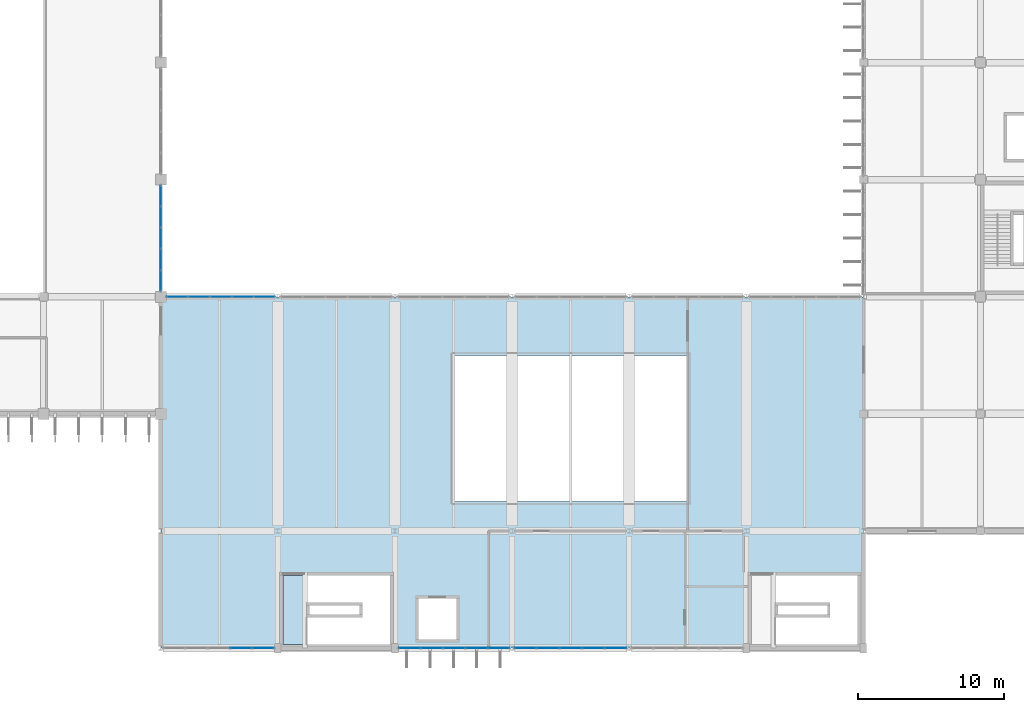
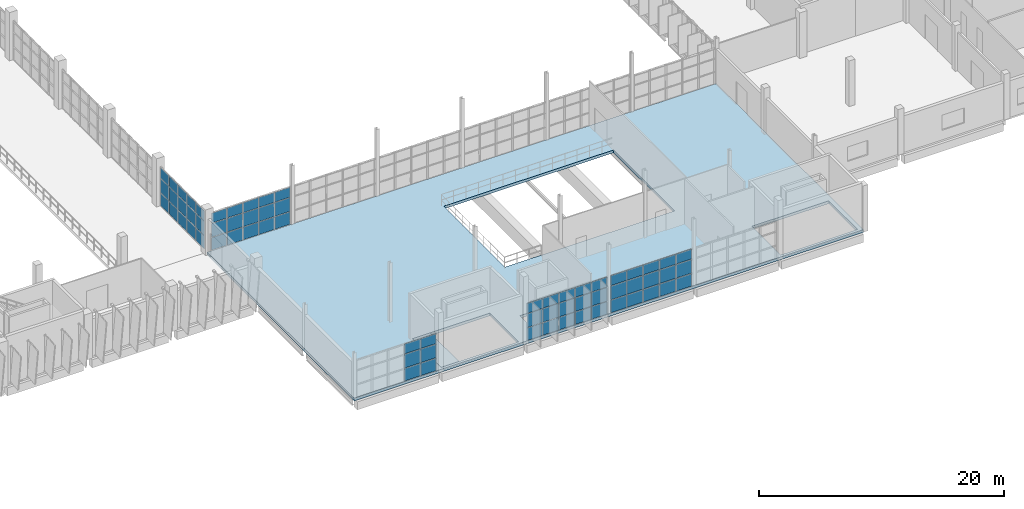
# One storey, part 52 of 93: 66 plates, 2 slabs, 5 elements without a shape of their own.
"""IFC4 building model written with IfcOpenShell, lengths in metres."""

from ifc_helpers import new_model, si_unit, direction, frame, origin, origin_2d, place, context, subcontext, project, spatial, polyline, rectangle, outline, extrude, material, layer, layer_set, type_object, element, aggregate, save


model = new_model("IFC4")

# Units and contexts
model_context = context("Model", 3, precision=1e-05, world=origin(), true_north=direction((0.0, 1.0)))
body_context = subcontext(model_context, "Body", "Model", "MODEL_VIEW")
ifc_project = project(units=[si_unit("LENGTHUNIT", "METRE"), si_unit("AREAUNIT", "SQUARE_METRE"), si_unit("VOLUMEUNIT", "CUBIC_METRE"), si_unit("PLANEANGLEUNIT", "RADIAN"), si_unit("MASSUNIT", "GRAM", prefix="KILO")], contexts=[model_context])

# Site, building, storey
site_placement = place(None, origin())
site = spatial("IfcSite", under=ifc_project, at=site_placement, CompositionType="ELEMENT")
building_placement = place(site_placement, origin())
building = spatial("IfcBuilding", under=site, at=building_placement, Name="Drelvana Railside Aquatics Centre", CompositionType="ELEMENT")
storey_placement = place(building_placement, frame((0.0, 0.0, 5.39990234375)))
storey = spatial("IfcBuildingStorey", under=building, at=storey_placement, Name="L01", CompositionType="ELEMENT", Elevation=5.39990234375)

# Curtain wall, plates
ifc_material_1 = material(Name="Bronze-anodised aluminium curtain wall", Category="aluminium")
ifc_layer_1 = layer(ifc_material_1, 0.18994140625, Name="Bronze-anodised aluminium curtain wall")
ifc_layer_set_1 = layer_set([ifc_layer_1], Name="Bronze-anodised aluminium curtain wall")
curtain_wall_type_1 = type_object("IfcCurtainWallType", Name="CW-Z4-FOYER", PredefinedType="NOTDEFINED", material=ifc_layer_set_1)
curtain_wall_1_placement = place(storey_placement, origin())
curtain_wall_1 = element("IfcCurtainWall", 1, at=curtain_wall_1_placement, inside=storey, type_object=curtain_wall_type_1, Name="Curtain wall CW-04-099", PredefinedType="NOTDEFINED")
ifc_material_2 = material(Name="Double-glazed low-e solar-control glass", Category="glass")
ifc_layer_2 = layer(ifc_material_2, 0.030029296875, Name="Double-glazed low-e solar-control glass")
ifc_layer_set_2 = layer_set([ifc_layer_2], Name="Double-glazed low-e solar-control glass")
plate_type_1 = type_object("IfcPlateType", Name="CW-Z4-FOYER-PAN", PredefinedType="CURTAIN_PANEL", material=ifc_layer_set_2)
plate_1_placement = place(storey_placement, frame((101.48681640625, 0.0, 0.05419921875), z_axis=(0.0, 0.0, 1.0), x_axis=(1.0, 0.0, 0.0)))
plate_1 = element("IfcPlate", 2, at=plate_1_placement, type_object=plate_type_1, Name="CW-04 panel 4.1", PredefinedType="CURTAIN_PANEL", context=body_context, shape_type="SweptSolid", body=[
    extrude(rectangle(XDim=1.474365234375, YDim=0.030029296875, at=origin_2d()), origin(), (0.0, 0.0, 1.0), 1.244384765625),
])
plate_2_placement = place(storey_placement, frame((101.48681640625, 0.0, 1.353515625), z_axis=(0.0, 0.0, 1.0), x_axis=(1.0, 0.0, 0.0)))
plate_2 = element("IfcPlate", 3, at=plate_2_placement, type_object=plate_type_1, Name="CW-04 panel 4.2", PredefinedType="CURTAIN_PANEL", context=body_context, shape_type="SweptSolid", body=[
    extrude(rectangle(XDim=1.474365234375, YDim=0.030029296875, at=origin_2d()), origin(), (0.0, 0.0, 1.0), 1.35302734375),
])
plate_3_placement = place(storey_placement, frame((101.48681640625, 0.0, 2.761474609375), z_axis=(0.0, 0.0, 1.0), x_axis=(1.0, 0.0, 0.0)))
plate_3 = element("IfcPlate", 4, at=plate_3_placement, type_object=plate_type_1, Name="CW-04 panel 4.3", PredefinedType="CURTAIN_PANEL", context=body_context, shape_type="SweptSolid", body=[
    extrude(rectangle(XDim=1.474365234375, YDim=0.030029296875, at=origin_2d()), origin(), (0.0, 0.0, 1.0), 0.978515625),
])
plate_4_placement = place(storey_placement, frame((103.0, 0.0, 0.05419921875), z_axis=(0.0, 0.0, 1.0), x_axis=(1.0, 0.0, 0.0)))
plate_4 = element("IfcPlate", 5, at=plate_4_placement, type_object=plate_type_1, Name="CW-04 panel 5.1", PredefinedType="CURTAIN_PANEL", context=body_context, shape_type="SweptSolid", body=[
    extrude(rectangle(XDim=1.44189453125, YDim=0.030029296875, at=origin_2d()), origin(), (0.0, 0.0, 1.0), 1.244384765625),
])
plate_5_placement = place(storey_placement, frame((103.0, 0.0, 1.353515625), z_axis=(0.0, 0.0, 1.0), x_axis=(1.0, 0.0, 0.0)))
plate_5 = element("IfcPlate", 6, at=plate_5_placement, type_object=plate_type_1, Name="CW-04 panel 5.2", PredefinedType="CURTAIN_PANEL", context=body_context, shape_type="SweptSolid", body=[
    extrude(rectangle(XDim=1.44189453125, YDim=0.030029296875, at=origin_2d()), origin(), (0.0, 0.0, 1.0), 1.35302734375),
])
plate_6_placement = place(storey_placement, frame((103.0, 0.0, 2.761474609375), z_axis=(0.0, 0.0, 1.0), x_axis=(1.0, 0.0, 0.0)))
plate_6 = element("IfcPlate", 7, at=plate_6_placement, type_object=plate_type_1, Name="CW-04 panel 5.3", PredefinedType="CURTAIN_PANEL", context=body_context, shape_type="SweptSolid", body=[
    extrude(rectangle(XDim=1.44189453125, YDim=0.030029296875, at=origin_2d()), origin(), (0.0, 0.0, 1.0), 0.978515625),
])
aggregate(curtain_wall_1, [plate_1, plate_2, plate_3, plate_4, plate_5, plate_6])

curtain_wall_2_placement = place(storey_placement, origin())
curtain_wall_2 = element("IfcCurtainWall", 8, at=curtain_wall_2_placement, inside=storey, type_object=curtain_wall_type_1, Name="Curtain wall CW-04-105", PredefinedType="NOTDEFINED")
plate_7_placement = place(storey_placement, frame((113.0, 0.0, 0.05419921875), z_axis=(0.0, 0.0, 1.0), x_axis=(1.0, 0.0, 0.0)))
plate_7 = element("IfcPlate", 9, at=plate_7_placement, type_object=plate_type_1, Name="CW-04 panel 1.1", PredefinedType="CURTAIN_PANEL", context=body_context, shape_type="SweptSolid", body=[
    extrude(rectangle(XDim=1.44189453125, YDim=0.030029296875, at=origin_2d()), origin(), (0.0, 0.0, 1.0), 1.244384765625),
])
plate_8_placement = place(storey_placement, frame((113.0, 0.0, 1.353515625), z_axis=(0.0, 0.0, 1.0), x_axis=(1.0, 0.0, 0.0)))
plate_8 = element("IfcPlate", 10, at=plate_8_placement, type_object=plate_type_1, Name="CW-04 panel 1.2", PredefinedType="CURTAIN_PANEL", context=body_context, shape_type="SweptSolid", body=[
    extrude(rectangle(XDim=1.44189453125, YDim=0.030029296875, at=origin_2d()), origin(), (0.0, 0.0, 1.0), 1.35302734375),
])
plate_9_placement = place(storey_placement, frame((113.0, 0.0, 2.761474609375), z_axis=(0.0, 0.0, 1.0), x_axis=(1.0, 0.0, 0.0)))
plate_9 = element("IfcPlate", 11, at=plate_9_placement, type_object=plate_type_1, Name="CW-04 panel 1.3", PredefinedType="CURTAIN_PANEL", context=body_context, shape_type="SweptSolid", body=[
    extrude(rectangle(XDim=1.44189453125, YDim=0.030029296875, at=origin_2d()), origin(), (0.0, 0.0, 1.0), 0.978515625),
])
plate_10_placement = place(storey_placement, frame((114.51318359375, 0.0, 0.05419921875), z_axis=(0.0, 0.0, 1.0), x_axis=(1.0, 0.0, 0.0)))
plate_10 = element("IfcPlate", 12, at=plate_10_placement, type_object=plate_type_1, Name="CW-04 panel 2.1", PredefinedType="CURTAIN_PANEL", context=body_context, shape_type="SweptSolid", body=[
    extrude(rectangle(XDim=1.474365234375, YDim=0.030029296875, at=origin_2d()), origin(), (0.0, 0.0, 1.0), 1.244384765625),
])
plate_11_placement = place(storey_placement, frame((114.51318359375, 0.0, 1.353515625), z_axis=(0.0, 0.0, 1.0), x_axis=(1.0, 0.0, 0.0)))
plate_11 = element("IfcPlate", 13, at=plate_11_placement, type_object=plate_type_1, Name="CW-04 panel 2.2", PredefinedType="CURTAIN_PANEL", context=body_context, shape_type="SweptSolid", body=[
    extrude(rectangle(XDim=1.474365234375, YDim=0.030029296875, at=origin_2d()), origin(), (0.0, 0.0, 1.0), 1.35302734375),
])
plate_12_placement = place(storey_placement, frame((114.51318359375, 0.0, 2.761474609375), z_axis=(0.0, 0.0, 1.0), x_axis=(1.0, 0.0, 0.0)))
plate_12 = element("IfcPlate", 14, at=plate_12_placement, type_object=plate_type_1, Name="CW-04 panel 2.3", PredefinedType="CURTAIN_PANEL", context=body_context, shape_type="SweptSolid", body=[
    extrude(rectangle(XDim=1.474365234375, YDim=0.030029296875, at=origin_2d()), origin(), (0.0, 0.0, 1.0), 0.978515625),
])
plate_13_placement = place(storey_placement, frame((116.04248046875, 0.0, 0.05419921875), z_axis=(0.0, 0.0, 1.0), x_axis=(1.0, 0.0, 0.0)))
plate_13 = element("IfcPlate", 15, at=plate_13_placement, type_object=plate_type_1, Name="CW-04 panel 3.1", PredefinedType="CURTAIN_PANEL", context=body_context, shape_type="SweptSolid", body=[
    extrude(rectangle(XDim=1.474365234375, YDim=0.030029296875, at=origin_2d()), origin(), (0.0, 0.0, 1.0), 1.244384765625),
])
plate_14_placement = place(storey_placement, frame((116.04248046875, 0.0, 1.353515625), z_axis=(0.0, 0.0, 1.0), x_axis=(1.0, 0.0, 0.0)))
plate_14 = element("IfcPlate", 16, at=plate_14_placement, type_object=plate_type_1, Name="CW-04 panel 3.2", PredefinedType="CURTAIN_PANEL", context=body_context, shape_type="SweptSolid", body=[
    extrude(rectangle(XDim=1.474365234375, YDim=0.030029296875, at=origin_2d()), origin(), (0.0, 0.0, 1.0), 1.35302734375),
])
plate_15_placement = place(storey_placement, frame((116.04248046875, 0.0, 2.761474609375), z_axis=(0.0, 0.0, 1.0), x_axis=(1.0, 0.0, 0.0)))
plate_15 = element("IfcPlate", 17, at=plate_15_placement, type_object=plate_type_1, Name="CW-04 panel 3.3", PredefinedType="CURTAIN_PANEL", context=body_context, shape_type="SweptSolid", body=[
    extrude(rectangle(XDim=1.474365234375, YDim=0.030029296875, at=origin_2d()), origin(), (0.0, 0.0, 1.0), 0.978515625),
])
plate_16_placement = place(storey_placement, frame((117.572021484375, 0.0, 0.05419921875), z_axis=(0.0, 0.0, 1.0), x_axis=(1.0, 0.0, 0.0)))
plate_16 = element("IfcPlate", 18, at=plate_16_placement, type_object=plate_type_1, Name="CW-04 panel 4.1", PredefinedType="CURTAIN_PANEL", context=body_context, shape_type="SweptSolid", body=[
    extrude(rectangle(XDim=1.474365234375, YDim=0.030029296875, at=origin_2d()), origin(), (0.0, 0.0, 1.0), 1.244384765625),
])
plate_17_placement = place(storey_placement, frame((117.572021484375, 0.0, 1.353515625), z_axis=(0.0, 0.0, 1.0), x_axis=(1.0, 0.0, 0.0)))
plate_17 = element("IfcPlate", 19, at=plate_17_placement, type_object=plate_type_1, Name="CW-04 panel 4.2", PredefinedType="CURTAIN_PANEL", context=body_context, shape_type="SweptSolid", body=[
    extrude(rectangle(XDim=1.474365234375, YDim=0.030029296875, at=origin_2d()), origin(), (0.0, 0.0, 1.0), 1.35302734375),
])
plate_18_placement = place(storey_placement, frame((117.572021484375, 0.0, 2.761474609375), z_axis=(0.0, 0.0, 1.0), x_axis=(1.0, 0.0, 0.0)))
plate_18 = element("IfcPlate", 20, at=plate_18_placement, type_object=plate_type_1, Name="CW-04 panel 4.3", PredefinedType="CURTAIN_PANEL", context=body_context, shape_type="SweptSolid", body=[
    extrude(rectangle(XDim=1.474365234375, YDim=0.030029296875, at=origin_2d()), origin(), (0.0, 0.0, 1.0), 0.978515625),
])
plate_19_placement = place(storey_placement, frame((119.0849609375, 0.0, 0.05419921875), z_axis=(0.0, 0.0, 1.0), x_axis=(1.0, 0.0, 0.0)))
plate_19 = element("IfcPlate", 21, at=plate_19_placement, type_object=plate_type_1, Name="CW-04 panel 5.1", PredefinedType="CURTAIN_PANEL", context=body_context, shape_type="SweptSolid", body=[
    extrude(rectangle(XDim=1.44189453125, YDim=0.030029296875, at=origin_2d()), origin(), (0.0, 0.0, 1.0), 1.244384765625),
])
plate_20_placement = place(storey_placement, frame((119.0849609375, 0.0, 1.353515625), z_axis=(0.0, 0.0, 1.0), x_axis=(1.0, 0.0, 0.0)))
plate_20 = element("IfcPlate", 22, at=plate_20_placement, type_object=plate_type_1, Name="CW-04 panel 5.2", PredefinedType="CURTAIN_PANEL", context=body_context, shape_type="SweptSolid", body=[
    extrude(rectangle(XDim=1.44189453125, YDim=0.030029296875, at=origin_2d()), origin(), (0.0, 0.0, 1.0), 1.35302734375),
])
plate_21_placement = place(storey_placement, frame((119.0849609375, 0.0, 2.761474609375), z_axis=(0.0, 0.0, 1.0), x_axis=(1.0, 0.0, 0.0)))
plate_21 = element("IfcPlate", 23, at=plate_21_placement, type_object=plate_type_1, Name="CW-04 panel 5.3", PredefinedType="CURTAIN_PANEL", context=body_context, shape_type="SweptSolid", body=[
    extrude(rectangle(XDim=1.44189453125, YDim=0.030029296875, at=origin_2d()), origin(), (0.0, 0.0, 1.0), 0.978515625),
])
aggregate(curtain_wall_2, [plate_7, plate_8, plate_9, plate_10, plate_11, plate_12, plate_13, plate_14, plate_15, plate_16, plate_17, plate_18, plate_19, plate_20, plate_21])

curtain_wall_3_placement = place(storey_placement, origin())
curtain_wall_3 = element("IfcCurtainWall", 24, at=curtain_wall_3_placement, inside=storey, type_object=curtain_wall_type_1, Name="Curtain wall CW-04-108", PredefinedType="NOTDEFINED")
plate_22_placement = place(storey_placement, frame((120.92333984375, 0.0, 0.05419921875), z_axis=(0.0, 0.0, 1.0), x_axis=(1.0, 0.0, 0.0)))
plate_22 = element("IfcPlate", 25, at=plate_22_placement, type_object=plate_type_1, Name="CW-04 panel 1.1", PredefinedType="CURTAIN_PANEL", context=body_context, shape_type="SweptSolid", body=[
    extrude(rectangle(XDim=1.458984375, YDim=0.030029296875, at=origin_2d()), origin(), (0.0, 0.0, 1.0), 1.244384765625),
])
plate_23_placement = place(storey_placement, frame((120.92333984375, 0.0, 1.353515625), z_axis=(0.0, 0.0, 1.0), x_axis=(1.0, 0.0, 0.0)))
plate_23 = element("IfcPlate", 26, at=plate_23_placement, type_object=plate_type_1, Name="CW-04 panel 1.2", PredefinedType="CURTAIN_PANEL", context=body_context, shape_type="SweptSolid", body=[
    extrude(rectangle(XDim=1.458984375, YDim=0.030029296875, at=origin_2d()), origin(), (0.0, 0.0, 1.0), 1.35302734375),
])
plate_24_placement = place(storey_placement, frame((120.92333984375, 0.0, 2.761474609375), z_axis=(0.0, 0.0, 1.0), x_axis=(1.0, 0.0, 0.0)))
plate_24 = element("IfcPlate", 27, at=plate_24_placement, type_object=plate_type_1, Name="CW-04 panel 1.3", PredefinedType="CURTAIN_PANEL", context=body_context, shape_type="SweptSolid", body=[
    extrude(rectangle(XDim=1.458984375, YDim=0.030029296875, at=origin_2d()), origin(), (0.0, 0.0, 1.0), 0.978515625),
])
plate_25_placement = place(storey_placement, frame((122.45361328125, 0.0, 0.05419921875), z_axis=(0.0, 0.0, 1.0), x_axis=(1.0, 0.0, 0.0)))
plate_25 = element("IfcPlate", 28, at=plate_25_placement, type_object=plate_type_1, Name="CW-04 panel 2.1", PredefinedType="CURTAIN_PANEL", context=body_context, shape_type="SweptSolid", body=[
    extrude(rectangle(XDim=1.491455078125, YDim=0.030029296875, at=origin_2d()), origin(), (0.0, 0.0, 1.0), 1.244384765625),
])
plate_26_placement = place(storey_placement, frame((122.45361328125, 0.0, 1.353515625), z_axis=(0.0, 0.0, 1.0), x_axis=(1.0, 0.0, 0.0)))
plate_26 = element("IfcPlate", 29, at=plate_26_placement, type_object=plate_type_1, Name="CW-04 panel 2.2", PredefinedType="CURTAIN_PANEL", context=body_context, shape_type="SweptSolid", body=[
    extrude(rectangle(XDim=1.491455078125, YDim=0.030029296875, at=origin_2d()), origin(), (0.0, 0.0, 1.0), 1.35302734375),
])
plate_27_placement = place(storey_placement, frame((122.45361328125, 0.0, 2.761474609375), z_axis=(0.0, 0.0, 1.0), x_axis=(1.0, 0.0, 0.0)))
plate_27 = element("IfcPlate", 30, at=plate_27_placement, type_object=plate_type_1, Name="CW-04 panel 2.3", PredefinedType="CURTAIN_PANEL", context=body_context, shape_type="SweptSolid", body=[
    extrude(rectangle(XDim=1.491455078125, YDim=0.030029296875, at=origin_2d()), origin(), (0.0, 0.0, 1.0), 0.978515625),
])
plate_28_placement = place(storey_placement, frame((124.0, 0.0, 0.05419921875), z_axis=(0.0, 0.0, 1.0), x_axis=(1.0, 0.0, 0.0)))
plate_28 = element("IfcPlate", 31, at=plate_28_placement, type_object=plate_type_1, Name="CW-04 panel 3.1", PredefinedType="CURTAIN_PANEL", context=body_context, shape_type="SweptSolid", body=[
    extrude(rectangle(XDim=1.491455078125, YDim=0.030029296875, at=origin_2d()), origin(), (0.0, 0.0, 1.0), 1.244384765625),
])
plate_29_placement = place(storey_placement, frame((124.0, 0.0, 1.353515625), z_axis=(0.0, 0.0, 1.0), x_axis=(1.0, 0.0, 0.0)))
plate_29 = element("IfcPlate", 32, at=plate_29_placement, type_object=plate_type_1, Name="CW-04 panel 3.2", PredefinedType="CURTAIN_PANEL", context=body_context, shape_type="SweptSolid", body=[
    extrude(rectangle(XDim=1.491455078125, YDim=0.030029296875, at=origin_2d()), origin(), (0.0, 0.0, 1.0), 1.35302734375),
])
plate_30_placement = place(storey_placement, frame((124.0, 0.0, 2.761474609375), z_axis=(0.0, 0.0, 1.0), x_axis=(1.0, 0.0, 0.0)))
plate_30 = element("IfcPlate", 33, at=plate_30_placement, type_object=plate_type_1, Name="CW-04 panel 3.3", PredefinedType="CURTAIN_PANEL", context=body_context, shape_type="SweptSolid", body=[
    extrude(rectangle(XDim=1.491455078125, YDim=0.030029296875, at=origin_2d()), origin(), (0.0, 0.0, 1.0), 0.978515625),
])
plate_31_placement = place(storey_placement, frame((125.54638671875, 0.0, 0.05419921875), z_axis=(0.0, 0.0, 1.0), x_axis=(1.0, 0.0, 0.0)))
plate_31 = element("IfcPlate", 34, at=plate_31_placement, type_object=plate_type_1, Name="CW-04 panel 4.1", PredefinedType="CURTAIN_PANEL", context=body_context, shape_type="SweptSolid", body=[
    extrude(rectangle(XDim=1.491455078125, YDim=0.030029296875, at=origin_2d()), origin(), (0.0, 0.0, 1.0), 1.244384765625),
])
plate_32_placement = place(storey_placement, frame((125.54638671875, 0.0, 1.353515625), z_axis=(0.0, 0.0, 1.0), x_axis=(1.0, 0.0, 0.0)))
plate_32 = element("IfcPlate", 35, at=plate_32_placement, type_object=plate_type_1, Name="CW-04 panel 4.2", PredefinedType="CURTAIN_PANEL", context=body_context, shape_type="SweptSolid", body=[
    extrude(rectangle(XDim=1.491455078125, YDim=0.030029296875, at=origin_2d()), origin(), (0.0, 0.0, 1.0), 1.35302734375),
])
plate_33_placement = place(storey_placement, frame((125.54638671875, 0.0, 2.761474609375), z_axis=(0.0, 0.0, 1.0), x_axis=(1.0, 0.0, 0.0)))
plate_33 = element("IfcPlate", 36, at=plate_33_placement, type_object=plate_type_1, Name="CW-04 panel 4.3", PredefinedType="CURTAIN_PANEL", context=body_context, shape_type="SweptSolid", body=[
    extrude(rectangle(XDim=1.491455078125, YDim=0.030029296875, at=origin_2d()), origin(), (0.0, 0.0, 1.0), 0.978515625),
])
plate_34_placement = place(storey_placement, frame((127.07666015625, 0.0, 0.05419921875), z_axis=(0.0, 0.0, 1.0), x_axis=(1.0, 0.0, 0.0)))
plate_34 = element("IfcPlate", 37, at=plate_34_placement, type_object=plate_type_1, Name="CW-04 panel 5.1", PredefinedType="CURTAIN_PANEL", context=body_context, shape_type="SweptSolid", body=[
    extrude(rectangle(XDim=1.458984375, YDim=0.030029296875, at=origin_2d()), origin(), (0.0, 0.0, 1.0), 1.244384765625),
])
plate_35_placement = place(storey_placement, frame((127.07666015625, 0.0, 1.353515625), z_axis=(0.0, 0.0, 1.0), x_axis=(1.0, 0.0, 0.0)))
plate_35 = element("IfcPlate", 38, at=plate_35_placement, type_object=plate_type_1, Name="CW-04 panel 5.2", PredefinedType="CURTAIN_PANEL", context=body_context, shape_type="SweptSolid", body=[
    extrude(rectangle(XDim=1.458984375, YDim=0.030029296875, at=origin_2d()), origin(), (0.0, 0.0, 1.0), 1.35302734375),
])
plate_36_placement = place(storey_placement, frame((127.07666015625, 0.0, 2.761474609375), z_axis=(0.0, 0.0, 1.0), x_axis=(1.0, 0.0, 0.0)))
plate_36 = element("IfcPlate", 39, at=plate_36_placement, type_object=plate_type_1, Name="CW-04 panel 5.3", PredefinedType="CURTAIN_PANEL", context=body_context, shape_type="SweptSolid", body=[
    extrude(rectangle(XDim=1.458984375, YDim=0.030029296875, at=origin_2d()), origin(), (0.0, 0.0, 1.0), 0.978515625),
])
aggregate(curtain_wall_3, [plate_22, plate_23, plate_24, plate_25, plate_26, plate_27, plate_28, plate_29, plate_30, plate_31, plate_32, plate_33, plate_34, plate_35, plate_36])

ifc_layer_3 = layer(ifc_material_1, 0.1650390625, Name="Bronze-anodised aluminium curtain wall")
ifc_layer_set_3 = layer_set([ifc_layer_3], Name="Bronze-anodised aluminium curtain wall")
curtain_wall_type_2 = type_object("IfcCurtainWallType", Name="CW-Z5-COURT", PredefinedType="NOTDEFINED", material=ifc_layer_set_3)
curtain_wall_4_placement = place(storey_placement, origin())
curtain_wall_4 = element("IfcCurtainWall", 40, at=curtain_wall_4_placement, inside=storey, type_object=curtain_wall_type_2, Name="Curtain wall CW-05-056", PredefinedType="NOTDEFINED")
ifc_layer_4 = layer(ifc_material_2, 0.02587890625, Name="Double-glazed low-e solar-control glass")
ifc_layer_set_4 = layer_set([ifc_layer_4], Name="Double-glazed low-e solar-control glass")
plate_type_2 = type_object("IfcPlateType", Name="CW-Z5-COURT-PAN", PredefinedType="CURTAIN_PANEL", material=ifc_layer_set_4)
plate_37_placement = place(storey_placement, frame((96.0, 25.110107421875, 0.049072265625), z_axis=(0.0, 0.0, 1.0), x_axis=(0.0, 1.0, 0.0)))
plate_37 = element("IfcPlate", 41, at=plate_37_placement, type_object=plate_type_2, Name="CW-05 panel 1.1", PredefinedType="CURTAIN_PANEL", context=body_context, shape_type="SweptSolid", body=[
    extrude(rectangle(XDim=1.372314453125, YDim=0.02587890625, at=origin_2d()), origin(), (0.0, 0.0, 1.0), 1.287109375),
])
plate_38_placement = place(storey_placement, frame((96.0, 25.110107421875, 1.385986328125), z_axis=(0.0, 0.0, 1.0), x_axis=(0.0, 1.0, 0.0)))
plate_38 = element("IfcPlate", 42, at=plate_38_placement, type_object=plate_type_2, Name="CW-05 panel 1.2", PredefinedType="CURTAIN_PANEL", context=body_context, shape_type="SweptSolid", body=[
    extrude(rectangle(XDim=1.372314453125, YDim=0.02587890625, at=origin_2d()), origin(), (0.0, 0.0, 1.0), 1.39501953125),
])
plate_39_placement = place(storey_placement, frame((96.0, 25.110107421875, 2.8310546875), z_axis=(0.0, 0.0, 1.0), x_axis=(0.0, 1.0, 0.0)))
plate_39 = element("IfcPlate", 43, at=plate_39_placement, type_object=plate_type_2, Name="CW-05 panel 1.3", PredefinedType="CURTAIN_PANEL", context=body_context, shape_type="SweptSolid", body=[
    extrude(rectangle(XDim=1.372314453125, YDim=0.02587890625, at=origin_2d()), origin(), (0.0, 0.0, 1.0), 1.013916015625),
])
plate_40_placement = place(storey_placement, frame((96.0, 26.547607421875, 0.049072265625), z_axis=(0.0, 0.0, 1.0), x_axis=(0.0, 1.0, 0.0)))
plate_40 = element("IfcPlate", 44, at=plate_40_placement, type_object=plate_type_2, Name="CW-05 panel 2.1", PredefinedType="CURTAIN_PANEL", context=body_context, shape_type="SweptSolid", body=[
    extrude(rectangle(XDim=1.40234375, YDim=0.02587890625, at=origin_2d()), origin(), (0.0, 0.0, 1.0), 1.287109375),
])
plate_41_placement = place(storey_placement, frame((96.0, 26.547607421875, 1.385986328125), z_axis=(0.0, 0.0, 1.0), x_axis=(0.0, 1.0, 0.0)))
plate_41 = element("IfcPlate", 45, at=plate_41_placement, type_object=plate_type_2, Name="CW-05 panel 2.2", PredefinedType="CURTAIN_PANEL", context=body_context, shape_type="SweptSolid", body=[
    extrude(rectangle(XDim=1.40234375, YDim=0.02587890625, at=origin_2d()), origin(), (0.0, 0.0, 1.0), 1.39501953125),
])
plate_42_placement = place(storey_placement, frame((96.0, 26.547607421875, 2.8310546875), z_axis=(0.0, 0.0, 1.0), x_axis=(0.0, 1.0, 0.0)))
plate_42 = element("IfcPlate", 46, at=plate_42_placement, type_object=plate_type_2, Name="CW-05 panel 2.3", PredefinedType="CURTAIN_PANEL", context=body_context, shape_type="SweptSolid", body=[
    extrude(rectangle(XDim=1.40234375, YDim=0.02587890625, at=origin_2d()), origin(), (0.0, 0.0, 1.0), 1.013916015625),
])
plate_43_placement = place(storey_placement, frame((96.0, 28.0, 0.049072265625), z_axis=(0.0, 0.0, 1.0), x_axis=(0.0, 1.0, 0.0)))
plate_43 = element("IfcPlate", 47, at=plate_43_placement, type_object=plate_type_2, Name="CW-05 panel 3.1", PredefinedType="CURTAIN_PANEL", context=body_context, shape_type="SweptSolid", body=[
    extrude(rectangle(XDim=1.40234375, YDim=0.02587890625, at=origin_2d()), origin(), (0.0, 0.0, 1.0), 1.287109375),
])
plate_44_placement = place(storey_placement, frame((96.0, 28.0, 1.385986328125), z_axis=(0.0, 0.0, 1.0), x_axis=(0.0, 1.0, 0.0)))
plate_44 = element("IfcPlate", 48, at=plate_44_placement, type_object=plate_type_2, Name="CW-05 panel 3.2", PredefinedType="CURTAIN_PANEL", context=body_context, shape_type="SweptSolid", body=[
    extrude(rectangle(XDim=1.40234375, YDim=0.02587890625, at=origin_2d()), origin(), (0.0, 0.0, 1.0), 1.39501953125),
])
plate_45_placement = place(storey_placement, frame((96.0, 28.0, 2.8310546875), z_axis=(0.0, 0.0, 1.0), x_axis=(0.0, 1.0, 0.0)))
plate_45 = element("IfcPlate", 49, at=plate_45_placement, type_object=plate_type_2, Name="CW-05 panel 3.3", PredefinedType="CURTAIN_PANEL", context=body_context, shape_type="SweptSolid", body=[
    extrude(rectangle(XDim=1.40234375, YDim=0.02587890625, at=origin_2d()), origin(), (0.0, 0.0, 1.0), 1.013916015625),
])
plate_46_placement = place(storey_placement, frame((96.0, 29.452392578125, 0.049072265625), z_axis=(0.0, 0.0, 1.0), x_axis=(0.0, 1.0, 0.0)))
plate_46 = element("IfcPlate", 50, at=plate_46_placement, type_object=plate_type_2, Name="CW-05 panel 4.1", PredefinedType="CURTAIN_PANEL", context=body_context, shape_type="SweptSolid", body=[
    extrude(rectangle(XDim=1.40234375, YDim=0.02587890625, at=origin_2d()), origin(), (0.0, 0.0, 1.0), 1.287109375),
])
plate_47_placement = place(storey_placement, frame((96.0, 29.452392578125, 1.385986328125), z_axis=(0.0, 0.0, 1.0), x_axis=(0.0, 1.0, 0.0)))
plate_47 = element("IfcPlate", 51, at=plate_47_placement, type_object=plate_type_2, Name="CW-05 panel 4.2", PredefinedType="CURTAIN_PANEL", context=body_context, shape_type="SweptSolid", body=[
    extrude(rectangle(XDim=1.40234375, YDim=0.02587890625, at=origin_2d()), origin(), (0.0, 0.0, 1.0), 1.39501953125),
])
plate_48_placement = place(storey_placement, frame((96.0, 29.452392578125, 2.8310546875), z_axis=(0.0, 0.0, 1.0), x_axis=(0.0, 1.0, 0.0)))
plate_48 = element("IfcPlate", 52, at=plate_48_placement, type_object=plate_type_2, Name="CW-05 panel 4.3", PredefinedType="CURTAIN_PANEL", context=body_context, shape_type="SweptSolid", body=[
    extrude(rectangle(XDim=1.40234375, YDim=0.02587890625, at=origin_2d()), origin(), (0.0, 0.0, 1.0), 1.013916015625),
])
plate_49_placement = place(storey_placement, frame((96.0, 30.889892578125, 0.049072265625), z_axis=(0.0, 0.0, 1.0), x_axis=(0.0, 1.0, 0.0)))
plate_49 = element("IfcPlate", 53, at=plate_49_placement, type_object=plate_type_2, Name="CW-05 panel 5.1", PredefinedType="CURTAIN_PANEL", context=body_context, shape_type="SweptSolid", body=[
    extrude(rectangle(XDim=1.372314453125, YDim=0.02587890625, at=origin_2d()), origin(), (0.0, 0.0, 1.0), 1.287109375),
])
plate_50_placement = place(storey_placement, frame((96.0, 30.889892578125, 1.385986328125), z_axis=(0.0, 0.0, 1.0), x_axis=(0.0, 1.0, 0.0)))
plate_50 = element("IfcPlate", 54, at=plate_50_placement, type_object=plate_type_2, Name="CW-05 panel 5.2", PredefinedType="CURTAIN_PANEL", context=body_context, shape_type="SweptSolid", body=[
    extrude(rectangle(XDim=1.372314453125, YDim=0.02587890625, at=origin_2d()), origin(), (0.0, 0.0, 1.0), 1.39501953125),
])
plate_51_placement = place(storey_placement, frame((96.0, 30.889892578125, 2.8310546875), z_axis=(0.0, 0.0, 1.0), x_axis=(0.0, 1.0, 0.0)))
plate_51 = element("IfcPlate", 55, at=plate_51_placement, type_object=plate_type_2, Name="CW-05 panel 5.3", PredefinedType="CURTAIN_PANEL", context=body_context, shape_type="SweptSolid", body=[
    extrude(rectangle(XDim=1.372314453125, YDim=0.02587890625, at=origin_2d()), origin(), (0.0, 0.0, 1.0), 1.013916015625),
])
aggregate(curtain_wall_4, [plate_37, plate_38, plate_39, plate_40, plate_41, plate_42, plate_43, plate_44, plate_45, plate_46, plate_47, plate_48, plate_49, plate_50, plate_51])

curtain_wall_5_placement = place(storey_placement, origin())
curtain_wall_5 = element("IfcCurtainWall", 56, at=curtain_wall_5_placement, inside=storey, type_object=curtain_wall_type_2, Name="Curtain wall CW-05-101", PredefinedType="NOTDEFINED")
plate_52_placement = place(storey_placement, frame((97.1328125, 24.0, 0.049072265625), z_axis=(0.0, 0.0, 1.0), x_axis=(1.0, 0.0, 0.0)))
plate_52 = element("IfcPlate", 57, at=plate_52_placement, type_object=plate_type_2, Name="CW-05 panel 1.1", PredefinedType="CURTAIN_PANEL", context=body_context, shape_type="SweptSolid", body=[
    extrude(rectangle(XDim=1.41748046875, YDim=0.02587890625, at=origin_2d()), origin(), (0.0, 0.0, 1.0), 1.251953125),
])
plate_53_placement = place(storey_placement, frame((97.1328125, 24.0, 1.35107421875), z_axis=(0.0, 0.0, 1.0), x_axis=(1.0, 0.0, 0.0)))
plate_53 = element("IfcPlate", 58, at=plate_53_placement, type_object=plate_type_2, Name="CW-05 panel 1.2", PredefinedType="CURTAIN_PANEL", context=body_context, shape_type="SweptSolid", body=[
    extrude(rectangle(XDim=1.41748046875, YDim=0.02587890625, at=origin_2d()), origin(), (0.0, 0.0, 1.0), 1.35791015625),
])
plate_54_placement = place(storey_placement, frame((97.1328125, 24.0, 2.75927734375), z_axis=(0.0, 0.0, 1.0), x_axis=(1.0, 0.0, 0.0)))
plate_54 = element("IfcPlate", 59, at=plate_54_placement, type_object=plate_type_2, Name="CW-05 panel 1.3", PredefinedType="CURTAIN_PANEL", context=body_context, shape_type="SweptSolid", body=[
    extrude(rectangle(XDim=1.41748046875, YDim=0.02587890625, at=origin_2d()), origin(), (0.0, 0.0, 1.0), 0.986083984375),
])
plate_55_placement = place(storey_placement, frame((98.614990234375, 24.0, 0.049072265625), z_axis=(0.0, 0.0, 1.0), x_axis=(1.0, 0.0, 0.0)))
plate_55 = element("IfcPlate", 60, at=plate_55_placement, type_object=plate_type_2, Name="CW-05 panel 2.1", PredefinedType="CURTAIN_PANEL", context=body_context, shape_type="SweptSolid", body=[
    extrude(rectangle(XDim=1.447509765625, YDim=0.02587890625, at=origin_2d()), origin(), (0.0, 0.0, 1.0), 1.251953125),
])
plate_56_placement = place(storey_placement, frame((98.614990234375, 24.0, 1.35107421875), z_axis=(0.0, 0.0, 1.0), x_axis=(1.0, 0.0, 0.0)))
plate_56 = element("IfcPlate", 61, at=plate_56_placement, type_object=plate_type_2, Name="CW-05 panel 2.2", PredefinedType="CURTAIN_PANEL", context=body_context, shape_type="SweptSolid", body=[
    extrude(rectangle(XDim=1.447509765625, YDim=0.02587890625, at=origin_2d()), origin(), (0.0, 0.0, 1.0), 1.35791015625),
])
plate_57_placement = place(storey_placement, frame((98.614990234375, 24.0, 2.75927734375), z_axis=(0.0, 0.0, 1.0), x_axis=(1.0, 0.0, 0.0)))
plate_57 = element("IfcPlate", 62, at=plate_57_placement, type_object=plate_type_2, Name="CW-05 panel 2.3", PredefinedType="CURTAIN_PANEL", context=body_context, shape_type="SweptSolid", body=[
    extrude(rectangle(XDim=1.447509765625, YDim=0.02587890625, at=origin_2d()), origin(), (0.0, 0.0, 1.0), 0.986083984375),
])
plate_58_placement = place(storey_placement, frame((100.112548828125, 24.0, 0.049072265625), z_axis=(0.0, 0.0, 1.0), x_axis=(1.0, 0.0, 0.0)))
plate_58 = element("IfcPlate", 63, at=plate_58_placement, type_object=plate_type_2, Name="CW-05 panel 3.1", PredefinedType="CURTAIN_PANEL", context=body_context, shape_type="SweptSolid", body=[
    extrude(rectangle(XDim=1.447509765625, YDim=0.02587890625, at=origin_2d()), origin(), (0.0, 0.0, 1.0), 1.251953125),
])
plate_59_placement = place(storey_placement, frame((100.112548828125, 24.0, 1.35107421875), z_axis=(0.0, 0.0, 1.0), x_axis=(1.0, 0.0, 0.0)))
plate_59 = element("IfcPlate", 64, at=plate_59_placement, type_object=plate_type_2, Name="CW-05 panel 3.2", PredefinedType="CURTAIN_PANEL", context=body_context, shape_type="SweptSolid", body=[
    extrude(rectangle(XDim=1.447509765625, YDim=0.02587890625, at=origin_2d()), origin(), (0.0, 0.0, 1.0), 1.35791015625),
])
plate_60_placement = place(storey_placement, frame((100.112548828125, 24.0, 2.75927734375), z_axis=(0.0, 0.0, 1.0), x_axis=(1.0, 0.0, 0.0)))
plate_60 = element("IfcPlate", 65, at=plate_60_placement, type_object=plate_type_2, Name="CW-05 panel 3.3", PredefinedType="CURTAIN_PANEL", context=body_context, shape_type="SweptSolid", body=[
    extrude(rectangle(XDim=1.447509765625, YDim=0.02587890625, at=origin_2d()), origin(), (0.0, 0.0, 1.0), 0.986083984375),
])
plate_61_placement = place(storey_placement, frame((101.60986328125, 24.0, 0.049072265625), z_axis=(0.0, 0.0, 1.0), x_axis=(1.0, 0.0, 0.0)))
plate_61 = element("IfcPlate", 66, at=plate_61_placement, type_object=plate_type_2, Name="CW-05 panel 4.1", PredefinedType="CURTAIN_PANEL", context=body_context, shape_type="SweptSolid", body=[
    extrude(rectangle(XDim=1.447509765625, YDim=0.02587890625, at=origin_2d()), origin(), (0.0, 0.0, 1.0), 1.251953125),
])
plate_62_placement = place(storey_placement, frame((101.60986328125, 24.0, 1.35107421875), z_axis=(0.0, 0.0, 1.0), x_axis=(1.0, 0.0, 0.0)))
plate_62 = element("IfcPlate", 67, at=plate_62_placement, type_object=plate_type_2, Name="CW-05 panel 4.2", PredefinedType="CURTAIN_PANEL", context=body_context, shape_type="SweptSolid", body=[
    extrude(rectangle(XDim=1.447509765625, YDim=0.02587890625, at=origin_2d()), origin(), (0.0, 0.0, 1.0), 1.35791015625),
])
plate_63_placement = place(storey_placement, frame((101.60986328125, 24.0, 2.75927734375), z_axis=(0.0, 0.0, 1.0), x_axis=(1.0, 0.0, 0.0)))
plate_63 = element("IfcPlate", 68, at=plate_63_placement, type_object=plate_type_2, Name="CW-05 panel 4.3", PredefinedType="CURTAIN_PANEL", context=body_context, shape_type="SweptSolid", body=[
    extrude(rectangle(XDim=1.447509765625, YDim=0.02587890625, at=origin_2d()), origin(), (0.0, 0.0, 1.0), 0.986083984375),
])
plate_64_placement = place(storey_placement, frame((103.09228515625, 24.0, 0.049072265625), z_axis=(0.0, 0.0, 1.0), x_axis=(1.0, 0.0, 0.0)))
plate_64 = element("IfcPlate", 69, at=plate_64_placement, type_object=plate_type_2, Name="CW-05 panel 5.1", PredefinedType="CURTAIN_PANEL", context=body_context, shape_type="SweptSolid", body=[
    extrude(rectangle(XDim=1.41748046875, YDim=0.02587890625, at=origin_2d()), origin(), (0.0, 0.0, 1.0), 1.251953125),
])
plate_65_placement = place(storey_placement, frame((103.09228515625, 24.0, 1.35107421875), z_axis=(0.0, 0.0, 1.0), x_axis=(1.0, 0.0, 0.0)))
plate_65 = element("IfcPlate", 70, at=plate_65_placement, type_object=plate_type_2, Name="CW-05 panel 5.2", PredefinedType="CURTAIN_PANEL", context=body_context, shape_type="SweptSolid", body=[
    extrude(rectangle(XDim=1.41748046875, YDim=0.02587890625, at=origin_2d()), origin(), (0.0, 0.0, 1.0), 1.35791015625),
])
plate_66_placement = place(storey_placement, frame((103.09228515625, 24.0, 2.75927734375), z_axis=(0.0, 0.0, 1.0), x_axis=(1.0, 0.0, 0.0)))
plate_66 = element("IfcPlate", 71, at=plate_66_placement, type_object=plate_type_2, Name="CW-05 panel 5.3", PredefinedType="CURTAIN_PANEL", context=body_context, shape_type="SweptSolid", body=[
    extrude(rectangle(XDim=1.41748046875, YDim=0.02587890625, at=origin_2d()), origin(), (0.0, 0.0, 1.0), 0.986083984375),
])
aggregate(curtain_wall_5, [plate_52, plate_53, plate_54, plate_55, plate_56, plate_57, plate_58, plate_59, plate_60, plate_61, plate_62, plate_63, plate_64, plate_65, plate_66])

# Slabs
ifc_material_3 = material(Name="Concrete C40/50", Category="concrete")
ifc_layer_5 = layer(ifc_material_3, 0.27490234375, Name="Concrete C40/50")
ifc_layer_set_5 = layer_set([ifc_layer_5], Name="Concrete C40/50")
slab_type_1 = type_object("IfcSlabType", Name="SL-L01-275", PredefinedType="FLOOR", material=ifc_layer_set_5)
slab_1_placement = place(storey_placement, frame((0.0, 0.0, -0.27490234375)))
element("IfcSlab", 72, at=slab_1_placement, inside=storey, type_object=slab_type_1, Name="Entrance Foyer hospitality gallery slab", PredefinedType="FLOOR", context=body_context, shape_type="SweptSolid", body=[
    extrude(outline(polyline([(96.0, 0.0), (144.0, 0.0), (144.0, 24.0), (96.0, 24.0), (96.0, 0.0)]), holes=[polyline([(116.0, 10.0), (132.0, 10.0), (132.0, 20.0), (116.0, 20.0), (116.0, 10.0)]), polyline([(104.35009765625, 0.25), (111.64990234375, 0.25), (111.64990234375, 4.949951171875), (104.35009765625, 4.949951171875), (104.35009765625, 0.25)]), polyline([(113.60009765625, 0.60009765625), (116.199951171875, 0.60009765625), (116.199951171875, 3.39990234375), (113.60009765625, 3.39990234375), (113.60009765625, 0.60009765625)]), polyline([(136.35009765625, 0.25), (143.590087890625, 0.25), (143.590087890625, 4.949951171875), (136.35009765625, 4.949951171875), (136.35009765625, 0.25)])]), origin(), (0.0, 0.0, 1.0), 0.27490234375),
])
ifc_layer_6 = layer(ifc_material_3, 0.199951171875, Name="Concrete C40/50")
ifc_layer_set_6 = layer_set([ifc_layer_6], Name="Concrete C40/50")
slab_type_2 = type_object("IfcSlabType", Name="SL-LAND-200", PredefinedType="LANDING", material=ifc_layer_set_6)
slab_2_placement = place(storey_placement, frame((0.0, 0.0, -0.199951171875)))
element("IfcSlab", 73, at=slab_2_placement, inside=storey, type_object=slab_type_2, Name="Stair ST-04 L01 floor landing", PredefinedType="LANDING", context=body_context, shape_type="SweptSolid", body=[
    extrude(outline(polyline([(104.35009765625, 0.25), (106.030029296875, 0.25), (106.030029296875, 4.949951171875), (104.35009765625, 4.949951171875), (104.35009765625, 0.25)])), origin(), (0.0, 0.0, 1.0), 0.199951171875),
])

save(model, "model.ifc")
